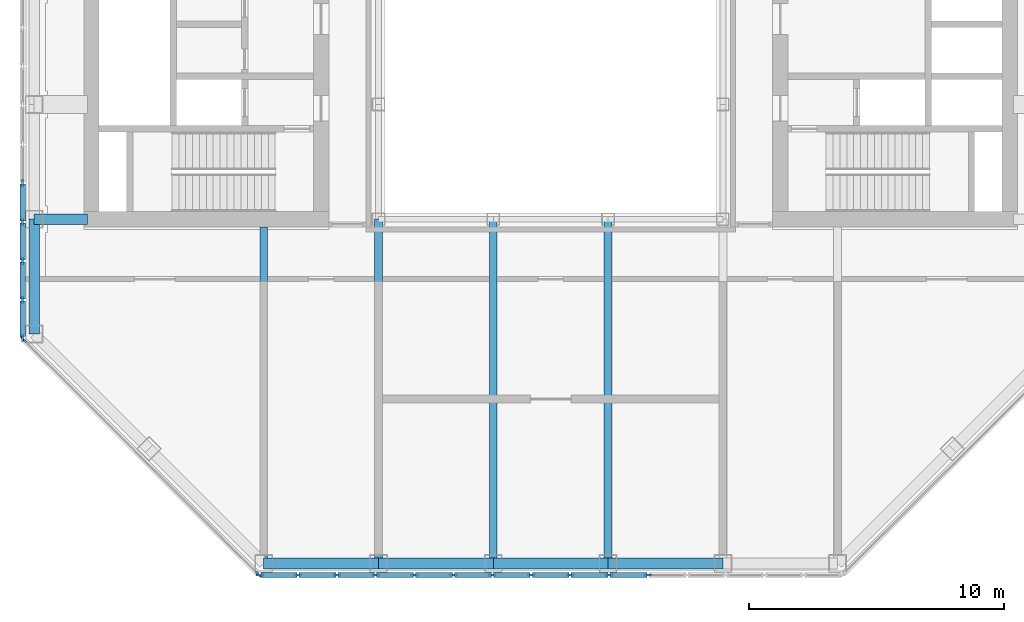
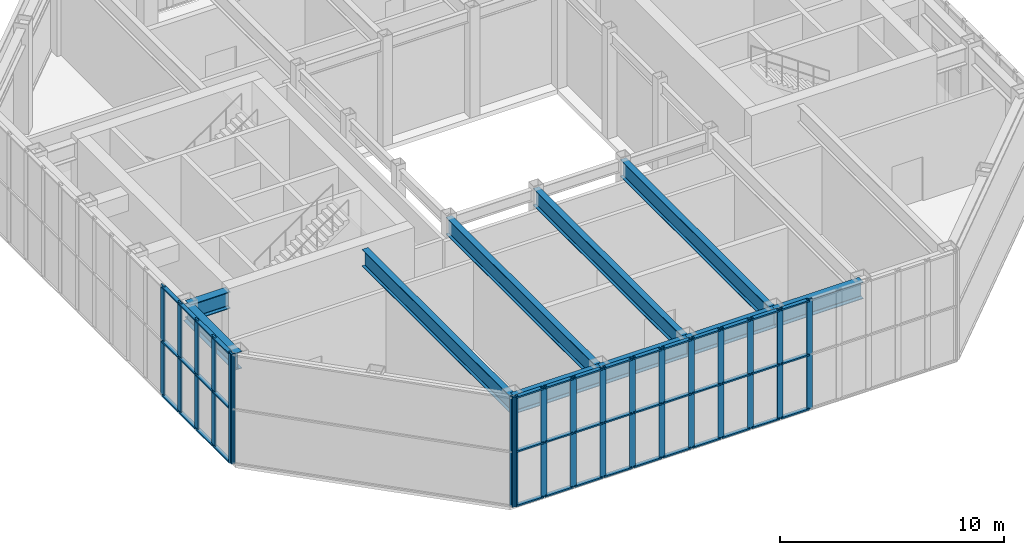
# One storey, part 2 of 12: 60 members, 10 beams, 3 elements without a shape of their own.
"""IFC4 building model written with IfcOpenShell, lengths in metres."""

from ifc_helpers import new_model, si_unit, direction, frame, origin, origin_2d, place, context, subcontext, project, spatial, rectangle, i_section, extrude, material, material_profile, profile_set, type_object, element, aggregate, save


model = new_model("IFC4")

# Units and contexts
model_context = context("Model", 3, precision=1e-05, world=origin(), true_north=direction((0.0, 1.0)))
body_context = subcontext(model_context, "Body", "Model", "MODEL_VIEW")
ifc_project = project(units=[si_unit("LENGTHUNIT", "METRE"), si_unit("AREAUNIT", "SQUARE_METRE"), si_unit("VOLUMEUNIT", "CUBIC_METRE"), si_unit("PLANEANGLEUNIT", "RADIAN"), si_unit("MASSUNIT", "GRAM", prefix="KILO")], contexts=[model_context])

# Site, building, storey
site_placement = place(None, origin())
site = spatial("IfcSite", under=ifc_project, at=site_placement, CompositionType="ELEMENT")
building_placement = place(site_placement, origin())
building = spatial("IfcBuilding", under=site, at=building_placement, Name="Msasa Ring Tower", CompositionType="ELEMENT")
storey_placement = place(building_placement, frame((0.0, 0.0, 262.050048828125)))
storey = spatial("IfcBuildingStorey", under=building, at=storey_placement, Name="L68", CompositionType="ELEMENT", Elevation=262.050048828125)

# Curtain wall, members
ifc_material_1 = material(Name="Aluminium curtain wall with clear glass", Category="aluminium")
curtain_wall_type = type_object("IfcCurtainWallType", Name="CW-L LANTERN CURTAIN WALL", PredefinedType="NOTDEFINED", material=ifc_material_1)
curtain_wall_1_placement = place(storey_placement, origin())
curtain_wall_1 = element("IfcCurtainWall", 1, at=curtain_wall_1_placement, inside=storey, type_object=curtain_wall_type, Name="Lantern curtain wall S L68", PredefinedType="NOTDEFINED")
ifc_material_2 = material(Name="Aluminium mullion", Category="aluminium")
ifc_material_profile_1 = material_profile(ifc_material_2, rectangle(XDim=0.080078125, YDim=0.300048828125, at=origin_2d()), Name="AL 80x300")
ifc_profile_set_1 = profile_set([ifc_material_profile_1], Name="Aluminium mullion")
member_type_1 = type_object("IfcMemberType", Name="CW-L MULLION 80x300", PredefinedType="MULLION", material=ifc_profile_set_1)
member_1_placement = place(storey_placement, frame((-11.396484375, -20.699951171875, 0.0), z_axis=(0.0, 0.0, 1.0), x_axis=(0.0, 1.0, 0.0)))
member_1 = element("IfcMember", 2, at=member_1_placement, type_object=member_type_1, Name="CW-L mullion 1", PredefinedType="MULLION", context=body_context, shape_type="SweptSolid", body=[
    extrude(rectangle(XDim=0.080078125, YDim=0.300048828125, at=origin_2d()), origin(), (0.0, 0.0, 1.0), 6.0),
])
member_2_placement = place(storey_placement, frame((-9.91162109375, -20.699951171875, 0.0), z_axis=(0.0, 0.0, 1.0), x_axis=(0.0, 1.0, 0.0)))
member_2 = element("IfcMember", 3, at=member_2_placement, type_object=member_type_1, Name="CW-L mullion 2", PredefinedType="MULLION", context=body_context, shape_type="SweptSolid", body=[
    extrude(rectangle(XDim=0.080078125, YDim=0.300048828125, at=origin_2d()), origin(), (0.0, 0.0, 1.0), 6.0),
])
member_3_placement = place(storey_placement, frame((-8.38671875, -20.699951171875, 0.0), z_axis=(0.0, 0.0, 1.0), x_axis=(0.0, 1.0, 0.0)))
member_3 = element("IfcMember", 4, at=member_3_placement, type_object=member_type_1, Name="CW-L mullion 3", PredefinedType="MULLION", context=body_context, shape_type="SweptSolid", body=[
    extrude(rectangle(XDim=0.080078125, YDim=0.300048828125, at=origin_2d()), origin(), (0.0, 0.0, 1.0), 6.0),
])
member_4_placement = place(storey_placement, frame((-6.86181640625, -20.699951171875, 0.0), z_axis=(0.0, 0.0, 1.0), x_axis=(0.0, 1.0, 0.0)))
member_4 = element("IfcMember", 5, at=member_4_placement, type_object=member_type_1, Name="CW-L mullion 4", PredefinedType="MULLION", context=body_context, shape_type="SweptSolid", body=[
    extrude(rectangle(XDim=0.080078125, YDim=0.300048828125, at=origin_2d()), origin(), (0.0, 0.0, 1.0), 6.0),
])
member_5_placement = place(storey_placement, frame((-5.3369140625, -20.699951171875, 0.0), z_axis=(0.0, 0.0, 1.0), x_axis=(0.0, 1.0, 0.0)))
member_5 = element("IfcMember", 6, at=member_5_placement, type_object=member_type_1, Name="CW-L mullion 5", PredefinedType="MULLION", context=body_context, shape_type="SweptSolid", body=[
    extrude(rectangle(XDim=0.080078125, YDim=0.300048828125, at=origin_2d()), origin(), (0.0, 0.0, 1.0), 6.0),
])
member_6_placement = place(storey_placement, frame((-3.81201171875, -20.699951171875, 0.0), z_axis=(0.0, 0.0, 1.0), x_axis=(0.0, 1.0, 0.0)))
member_6 = element("IfcMember", 7, at=member_6_placement, type_object=member_type_1, Name="CW-L mullion 6", PredefinedType="MULLION", context=body_context, shape_type="SweptSolid", body=[
    extrude(rectangle(XDim=0.080078125, YDim=0.300048828125, at=origin_2d()), origin(), (0.0, 0.0, 1.0), 6.0),
])
member_7_placement = place(storey_placement, frame((-2.287353515625, -20.699951171875, 0.0), z_axis=(0.0, 0.0, 1.0), x_axis=(0.0, 1.0, 0.0)))
member_7 = element("IfcMember", 8, at=member_7_placement, type_object=member_type_1, Name="CW-L mullion 7", PredefinedType="MULLION", context=body_context, shape_type="SweptSolid", body=[
    extrude(rectangle(XDim=0.080078125, YDim=0.300048828125, at=origin_2d()), origin(), (0.0, 0.0, 1.0), 6.0),
])
member_8_placement = place(storey_placement, frame((-0.762451171875, -20.699951171875, 0.0), z_axis=(0.0, 0.0, 1.0), x_axis=(0.0, 1.0, 0.0)))
member_8 = element("IfcMember", 9, at=member_8_placement, type_object=member_type_1, Name="CW-L mullion 8", PredefinedType="MULLION", context=body_context, shape_type="SweptSolid", body=[
    extrude(rectangle(XDim=0.080078125, YDim=0.300048828125, at=origin_2d()), origin(), (0.0, 0.0, 1.0), 6.0),
])
member_9_placement = place(storey_placement, frame((0.762451171875, -20.699951171875, 0.0), z_axis=(0.0, 0.0, 1.0), x_axis=(0.0, 1.0, 0.0)))
member_9 = element("IfcMember", 10, at=member_9_placement, type_object=member_type_1, Name="CW-L mullion 9", PredefinedType="MULLION", context=body_context, shape_type="SweptSolid", body=[
    extrude(rectangle(XDim=0.080078125, YDim=0.300048828125, at=origin_2d()), origin(), (0.0, 0.0, 1.0), 6.0),
])
member_10_placement = place(storey_placement, frame((2.287353515625, -20.699951171875, 0.0), z_axis=(0.0, 0.0, 1.0), x_axis=(0.0, 1.0, 0.0)))
member_10 = element("IfcMember", 11, at=member_10_placement, type_object=member_type_1, Name="CW-L mullion 10", PredefinedType="MULLION", context=body_context, shape_type="SweptSolid", body=[
    extrude(rectangle(XDim=0.080078125, YDim=0.300048828125, at=origin_2d()), origin(), (0.0, 0.0, 1.0), 6.0),
])
member_11_placement = place(storey_placement, frame((3.81201171875, -20.699951171875, 0.0), z_axis=(0.0, 0.0, 1.0), x_axis=(0.0, 1.0, 0.0)))
member_11 = element("IfcMember", 12, at=member_11_placement, type_object=member_type_1, Name="CW-L mullion 11", PredefinedType="MULLION", context=body_context, shape_type="SweptSolid", body=[
    extrude(rectangle(XDim=0.080078125, YDim=0.300048828125, at=origin_2d()), origin(), (0.0, 0.0, 1.0), 6.0),
])

curtain_wall_2_placement = place(storey_placement, origin())
curtain_wall_2 = element("IfcCurtainWall", 13, at=curtain_wall_2_placement, inside=storey, type_object=curtain_wall_type, Name="Lantern curtain wall W L68", PredefinedType="NOTDEFINED")
member_12_placement = place(storey_placement, frame((-20.699951171875, -5.3369140625, 0.0), z_axis=(0.0, 0.0, 1.0), x_axis=(1.0, 0.0, 0.0)))
member_12 = element("IfcMember", 14, at=member_12_placement, type_object=member_type_1, Name="CW-L mullion 12", PredefinedType="MULLION", context=body_context, shape_type="SweptSolid", body=[
    extrude(rectangle(XDim=0.080078125, YDim=0.300048828125, at=origin_2d()), origin(), (0.0, 0.0, 1.0), 6.0),
])
member_13_placement = place(storey_placement, frame((-20.699951171875, -6.86181640625, 0.0), z_axis=(0.0, 0.0, 1.0), x_axis=(1.0, 0.0, 0.0)))
member_13 = element("IfcMember", 15, at=member_13_placement, type_object=member_type_1, Name="CW-L mullion 13", PredefinedType="MULLION", context=body_context, shape_type="SweptSolid", body=[
    extrude(rectangle(XDim=0.080078125, YDim=0.300048828125, at=origin_2d()), origin(), (0.0, 0.0, 1.0), 6.0),
])
member_14_placement = place(storey_placement, frame((-20.699951171875, -8.38671875, 0.0), z_axis=(0.0, 0.0, 1.0), x_axis=(1.0, 0.0, 0.0)))
member_14 = element("IfcMember", 16, at=member_14_placement, type_object=member_type_1, Name="CW-L mullion 14", PredefinedType="MULLION", context=body_context, shape_type="SweptSolid", body=[
    extrude(rectangle(XDim=0.080078125, YDim=0.300048828125, at=origin_2d()), origin(), (0.0, 0.0, 1.0), 6.0),
])
member_15_placement = place(storey_placement, frame((-20.699951171875, -9.91162109375, 0.0), z_axis=(0.0, 0.0, 1.0), x_axis=(1.0, 0.0, 0.0)))
member_15 = element("IfcMember", 17, at=member_15_placement, type_object=member_type_1, Name="CW-L mullion 15", PredefinedType="MULLION", context=body_context, shape_type="SweptSolid", body=[
    extrude(rectangle(XDim=0.080078125, YDim=0.300048828125, at=origin_2d()), origin(), (0.0, 0.0, 1.0), 6.0),
])
member_16_placement = place(storey_placement, frame((-20.699951171875, -11.396484375, 0.0), z_axis=(0.0, 0.0, 1.0), x_axis=(1.0, 0.0, 0.0)))
member_16 = element("IfcMember", 18, at=member_16_placement, type_object=member_type_1, Name="CW-L mullion 16", PredefinedType="MULLION", context=body_context, shape_type="SweptSolid", body=[
    extrude(rectangle(XDim=0.080078125, YDim=0.300048828125, at=origin_2d()), origin(), (0.0, 0.0, 1.0), 6.0),
])

curtain_wall_3_placement = place(storey_placement, origin())
curtain_wall_3 = element("IfcCurtainWall", 19, at=curtain_wall_3_placement, inside=storey, type_object=curtain_wall_type, Name="Lantern curtain wall SW L68", PredefinedType="NOTDEFINED")
member_17_placement = place(storey_placement, frame((-20.671630859375, -11.464599609375, 0.0), z_axis=(0.0, 0.0, 1.0), x_axis=(0.707106781187, 0.707106781187, 0.0)))
member_17 = element("IfcMember", 20, at=member_17_placement, type_object=member_type_1, Name="CW-L mullion 1", PredefinedType="MULLION", context=body_context, shape_type="SweptSolid", body=[
    extrude(rectangle(XDim=0.080078125, YDim=0.300048828125, at=origin_2d()), origin(), (0.0, 0.0, 1.0), 6.0),
])
member_18_placement = place(storey_placement, frame((-11.464599609375, -20.671630859375, 0.0), z_axis=(0.0, 0.0, 1.0), x_axis=(0.707106781187, 0.707106781187, 0.0)))
member_18 = element("IfcMember", 21, at=member_18_placement, type_object=member_type_1, Name="CW-L mullion 2", PredefinedType="MULLION", context=body_context, shape_type="SweptSolid", body=[
    extrude(rectangle(XDim=0.080078125, YDim=0.300048828125, at=origin_2d()), origin(), (0.0, 0.0, 1.0), 6.0),
])
aggregate(curtain_wall_3, [member_17, member_18])

# Member
ifc_material_3 = material(Name="Aluminium transom", Category="aluminium")
ifc_material_profile_2 = material_profile(ifc_material_3, rectangle(XDim=0.199951171875, YDim=0.080078125, at=origin_2d()), Name="AL 80x200")
ifc_profile_set_2 = profile_set([ifc_material_profile_2], Name="Aluminium transom")
member_type_2 = type_object("IfcMemberType", Name="CW-L TRANSOM 80x200", PredefinedType="USERDEFINED", material=ifc_profile_set_2)
member_19_placement = place(storey_placement, frame((-11.3564453125, -20.699951171875, 0.0400390625), z_axis=(1.0, 0.0, 0.0), x_axis=(0.0, 1.0, 0.0)))
member_19 = element("IfcMember", 22, at=member_19_placement, type_object=member_type_2, Name="CW-L transom 1.1", ObjectType="TRANSOM", PredefinedType="USERDEFINED", context=body_context, shape_type="SweptSolid", body=[
    extrude(rectangle(XDim=0.199951171875, YDim=0.080078125, at=origin_2d()), origin(), (0.0, 0.0, 1.0), 1.40478515625),
])

member_20_placement = place(storey_placement, frame((-11.3564453125, -20.699951171875, 3.0), z_axis=(1.0, 0.0, 0.0), x_axis=(0.0, 1.0, 0.0)))
member_20 = element("IfcMember", 23, at=member_20_placement, type_object=member_type_2, Name="CW-L transom 1.2", ObjectType="TRANSOM", PredefinedType="USERDEFINED", context=body_context, shape_type="SweptSolid", body=[
    extrude(rectangle(XDim=0.199951171875, YDim=0.080078125, at=origin_2d()), origin(), (0.0, 0.0, 1.0), 1.40478515625),
])

member_21_placement = place(storey_placement, frame((-11.3564453125, -20.699951171875, 5.9599609375), z_axis=(1.0, 0.0, 0.0), x_axis=(0.0, 1.0, 0.0)))
member_21 = element("IfcMember", 24, at=member_21_placement, type_object=member_type_2, Name="CW-L transom 1.3", ObjectType="TRANSOM", PredefinedType="USERDEFINED", context=body_context, shape_type="SweptSolid", body=[
    extrude(rectangle(XDim=0.199951171875, YDim=0.080078125, at=origin_2d()), origin(), (0.0, 0.0, 1.0), 1.40478515625),
])

member_22_placement = place(storey_placement, frame((-9.87158203125, -20.699951171875, 0.0400390625), z_axis=(1.0, 0.0, 0.0), x_axis=(0.0, 1.0, 0.0)))
member_22 = element("IfcMember", 25, at=member_22_placement, type_object=member_type_2, Name="CW-L transom 2.1", ObjectType="TRANSOM", PredefinedType="USERDEFINED", context=body_context, shape_type="SweptSolid", body=[
    extrude(rectangle(XDim=0.199951171875, YDim=0.080078125, at=origin_2d()), origin(), (0.0, 0.0, 1.0), 1.44482421875),
])

member_23_placement = place(storey_placement, frame((-9.87158203125, -20.699951171875, 3.0), z_axis=(1.0, 0.0, 0.0), x_axis=(0.0, 1.0, 0.0)))
member_23 = element("IfcMember", 26, at=member_23_placement, type_object=member_type_2, Name="CW-L transom 2.2", ObjectType="TRANSOM", PredefinedType="USERDEFINED", context=body_context, shape_type="SweptSolid", body=[
    extrude(rectangle(XDim=0.199951171875, YDim=0.080078125, at=origin_2d()), origin(), (0.0, 0.0, 1.0), 1.44482421875),
])

member_24_placement = place(storey_placement, frame((-9.87158203125, -20.699951171875, 5.9599609375), z_axis=(1.0, 0.0, 0.0), x_axis=(0.0, 1.0, 0.0)))
member_24 = element("IfcMember", 27, at=member_24_placement, type_object=member_type_2, Name="CW-L transom 2.3", ObjectType="TRANSOM", PredefinedType="USERDEFINED", context=body_context, shape_type="SweptSolid", body=[
    extrude(rectangle(XDim=0.199951171875, YDim=0.080078125, at=origin_2d()), origin(), (0.0, 0.0, 1.0), 1.44482421875),
])

member_25_placement = place(storey_placement, frame((-8.3466796875, -20.699951171875, 0.0400390625), z_axis=(1.0, 0.0, 0.0), x_axis=(0.0, 1.0, 0.0)))
member_25 = element("IfcMember", 28, at=member_25_placement, type_object=member_type_2, Name="CW-L transom 3.1", ObjectType="TRANSOM", PredefinedType="USERDEFINED", context=body_context, shape_type="SweptSolid", body=[
    extrude(rectangle(XDim=0.199951171875, YDim=0.080078125, at=origin_2d()), origin(), (0.0, 0.0, 1.0), 1.44482421875),
])

member_26_placement = place(storey_placement, frame((-8.3466796875, -20.699951171875, 3.0), z_axis=(1.0, 0.0, 0.0), x_axis=(0.0, 1.0, 0.0)))
member_26 = element("IfcMember", 29, at=member_26_placement, type_object=member_type_2, Name="CW-L transom 3.2", ObjectType="TRANSOM", PredefinedType="USERDEFINED", context=body_context, shape_type="SweptSolid", body=[
    extrude(rectangle(XDim=0.199951171875, YDim=0.080078125, at=origin_2d()), origin(), (0.0, 0.0, 1.0), 1.44482421875),
])

member_27_placement = place(storey_placement, frame((-8.3466796875, -20.699951171875, 5.9599609375), z_axis=(1.0, 0.0, 0.0), x_axis=(0.0, 1.0, 0.0)))
member_27 = element("IfcMember", 30, at=member_27_placement, type_object=member_type_2, Name="CW-L transom 3.3", ObjectType="TRANSOM", PredefinedType="USERDEFINED", context=body_context, shape_type="SweptSolid", body=[
    extrude(rectangle(XDim=0.199951171875, YDim=0.080078125, at=origin_2d()), origin(), (0.0, 0.0, 1.0), 1.44482421875),
])

member_28_placement = place(storey_placement, frame((-6.82177734375, -20.699951171875, 0.0400390625), z_axis=(1.0, 0.0, 0.0), x_axis=(0.0, 1.0, 0.0)))
member_28 = element("IfcMember", 31, at=member_28_placement, type_object=member_type_2, Name="CW-L transom 4.1", ObjectType="TRANSOM", PredefinedType="USERDEFINED", context=body_context, shape_type="SweptSolid", body=[
    extrude(rectangle(XDim=0.199951171875, YDim=0.080078125, at=origin_2d()), origin(), (0.0, 0.0, 1.0), 1.44482421875),
])

member_29_placement = place(storey_placement, frame((-6.82177734375, -20.699951171875, 3.0), z_axis=(1.0, 0.0, 0.0), x_axis=(0.0, 1.0, 0.0)))
member_29 = element("IfcMember", 32, at=member_29_placement, type_object=member_type_2, Name="CW-L transom 4.2", ObjectType="TRANSOM", PredefinedType="USERDEFINED", context=body_context, shape_type="SweptSolid", body=[
    extrude(rectangle(XDim=0.199951171875, YDim=0.080078125, at=origin_2d()), origin(), (0.0, 0.0, 1.0), 1.44482421875),
])

member_30_placement = place(storey_placement, frame((-6.82177734375, -20.699951171875, 5.9599609375), z_axis=(1.0, 0.0, 0.0), x_axis=(0.0, 1.0, 0.0)))
member_30 = element("IfcMember", 33, at=member_30_placement, type_object=member_type_2, Name="CW-L transom 4.3", ObjectType="TRANSOM", PredefinedType="USERDEFINED", context=body_context, shape_type="SweptSolid", body=[
    extrude(rectangle(XDim=0.199951171875, YDim=0.080078125, at=origin_2d()), origin(), (0.0, 0.0, 1.0), 1.44482421875),
])

member_31_placement = place(storey_placement, frame((-5.296875, -20.699951171875, 0.0400390625), z_axis=(1.0, 0.0, 0.0), x_axis=(0.0, 1.0, 0.0)))
member_31 = element("IfcMember", 34, at=member_31_placement, type_object=member_type_2, Name="CW-L transom 5.1", ObjectType="TRANSOM", PredefinedType="USERDEFINED", context=body_context, shape_type="SweptSolid", body=[
    extrude(rectangle(XDim=0.199951171875, YDim=0.080078125, at=origin_2d()), origin(), (0.0, 0.0, 1.0), 1.44482421875),
])

member_32_placement = place(storey_placement, frame((-5.296875, -20.699951171875, 3.0), z_axis=(1.0, 0.0, 0.0), x_axis=(0.0, 1.0, 0.0)))
member_32 = element("IfcMember", 35, at=member_32_placement, type_object=member_type_2, Name="CW-L transom 5.2", ObjectType="TRANSOM", PredefinedType="USERDEFINED", context=body_context, shape_type="SweptSolid", body=[
    extrude(rectangle(XDim=0.199951171875, YDim=0.080078125, at=origin_2d()), origin(), (0.0, 0.0, 1.0), 1.44482421875),
])

member_33_placement = place(storey_placement, frame((-5.296875, -20.699951171875, 5.9599609375), z_axis=(1.0, 0.0, 0.0), x_axis=(0.0, 1.0, 0.0)))
member_33 = element("IfcMember", 36, at=member_33_placement, type_object=member_type_2, Name="CW-L transom 5.3", ObjectType="TRANSOM", PredefinedType="USERDEFINED", context=body_context, shape_type="SweptSolid", body=[
    extrude(rectangle(XDim=0.199951171875, YDim=0.080078125, at=origin_2d()), origin(), (0.0, 0.0, 1.0), 1.44482421875),
])

member_34_placement = place(storey_placement, frame((-3.772216796875, -20.699951171875, 0.0400390625), z_axis=(1.0, 0.0, 0.0), x_axis=(0.0, 1.0, 0.0)))
member_34 = element("IfcMember", 37, at=member_34_placement, type_object=member_type_2, Name="CW-L transom 6.1", ObjectType="TRANSOM", PredefinedType="USERDEFINED", context=body_context, shape_type="SweptSolid", body=[
    extrude(rectangle(XDim=0.199951171875, YDim=0.080078125, at=origin_2d()), origin(), (0.0, 0.0, 1.0), 1.44482421875),
])

member_35_placement = place(storey_placement, frame((-3.772216796875, -20.699951171875, 3.0), z_axis=(1.0, 0.0, 0.0), x_axis=(0.0, 1.0, 0.0)))
member_35 = element("IfcMember", 38, at=member_35_placement, type_object=member_type_2, Name="CW-L transom 6.2", ObjectType="TRANSOM", PredefinedType="USERDEFINED", context=body_context, shape_type="SweptSolid", body=[
    extrude(rectangle(XDim=0.199951171875, YDim=0.080078125, at=origin_2d()), origin(), (0.0, 0.0, 1.0), 1.44482421875),
])

member_36_placement = place(storey_placement, frame((-3.772216796875, -20.699951171875, 5.9599609375), z_axis=(1.0, 0.0, 0.0), x_axis=(0.0, 1.0, 0.0)))
member_36 = element("IfcMember", 39, at=member_36_placement, type_object=member_type_2, Name="CW-L transom 6.3", ObjectType="TRANSOM", PredefinedType="USERDEFINED", context=body_context, shape_type="SweptSolid", body=[
    extrude(rectangle(XDim=0.199951171875, YDim=0.080078125, at=origin_2d()), origin(), (0.0, 0.0, 1.0), 1.44482421875),
])

member_37_placement = place(storey_placement, frame((-2.247314453125, -20.699951171875, 0.0400390625), z_axis=(1.0, 0.0, 0.0), x_axis=(0.0, 1.0, 0.0)))
member_37 = element("IfcMember", 40, at=member_37_placement, type_object=member_type_2, Name="CW-L transom 7.1", ObjectType="TRANSOM", PredefinedType="USERDEFINED", context=body_context, shape_type="SweptSolid", body=[
    extrude(rectangle(XDim=0.199951171875, YDim=0.080078125, at=origin_2d()), origin(), (0.0, 0.0, 1.0), 1.44482421875),
])

member_38_placement = place(storey_placement, frame((-2.247314453125, -20.699951171875, 3.0), z_axis=(1.0, 0.0, 0.0), x_axis=(0.0, 1.0, 0.0)))
member_38 = element("IfcMember", 41, at=member_38_placement, type_object=member_type_2, Name="CW-L transom 7.2", ObjectType="TRANSOM", PredefinedType="USERDEFINED", context=body_context, shape_type="SweptSolid", body=[
    extrude(rectangle(XDim=0.199951171875, YDim=0.080078125, at=origin_2d()), origin(), (0.0, 0.0, 1.0), 1.44482421875),
])

member_39_placement = place(storey_placement, frame((-2.247314453125, -20.699951171875, 5.9599609375), z_axis=(1.0, 0.0, 0.0), x_axis=(0.0, 1.0, 0.0)))
member_39 = element("IfcMember", 42, at=member_39_placement, type_object=member_type_2, Name="CW-L transom 7.3", ObjectType="TRANSOM", PredefinedType="USERDEFINED", context=body_context, shape_type="SweptSolid", body=[
    extrude(rectangle(XDim=0.199951171875, YDim=0.080078125, at=origin_2d()), origin(), (0.0, 0.0, 1.0), 1.44482421875),
])

member_40_placement = place(storey_placement, frame((-0.722412109375, -20.699951171875, 0.0400390625), z_axis=(1.0, 0.0, 0.0), x_axis=(0.0, 1.0, 0.0)))
member_40 = element("IfcMember", 43, at=member_40_placement, type_object=member_type_2, Name="CW-L transom 8.1", ObjectType="TRANSOM", PredefinedType="USERDEFINED", context=body_context, shape_type="SweptSolid", body=[
    extrude(rectangle(XDim=0.199951171875, YDim=0.080078125, at=origin_2d()), origin(), (0.0, 0.0, 1.0), 1.44482421875),
])

member_41_placement = place(storey_placement, frame((-0.722412109375, -20.699951171875, 3.0), z_axis=(1.0, 0.0, 0.0), x_axis=(0.0, 1.0, 0.0)))
member_41 = element("IfcMember", 44, at=member_41_placement, type_object=member_type_2, Name="CW-L transom 8.2", ObjectType="TRANSOM", PredefinedType="USERDEFINED", context=body_context, shape_type="SweptSolid", body=[
    extrude(rectangle(XDim=0.199951171875, YDim=0.080078125, at=origin_2d()), origin(), (0.0, 0.0, 1.0), 1.44482421875),
])

member_42_placement = place(storey_placement, frame((-0.722412109375, -20.699951171875, 5.9599609375), z_axis=(1.0, 0.0, 0.0), x_axis=(0.0, 1.0, 0.0)))
member_42 = element("IfcMember", 45, at=member_42_placement, type_object=member_type_2, Name="CW-L transom 8.3", ObjectType="TRANSOM", PredefinedType="USERDEFINED", context=body_context, shape_type="SweptSolid", body=[
    extrude(rectangle(XDim=0.199951171875, YDim=0.080078125, at=origin_2d()), origin(), (0.0, 0.0, 1.0), 1.44482421875),
])

member_43_placement = place(storey_placement, frame((0.802490234375, -20.699951171875, 0.0400390625), z_axis=(1.0, 0.0, 0.0), x_axis=(0.0, 1.0, 0.0)))
member_43 = element("IfcMember", 46, at=member_43_placement, type_object=member_type_2, Name="CW-L transom 9.1", ObjectType="TRANSOM", PredefinedType="USERDEFINED", context=body_context, shape_type="SweptSolid", body=[
    extrude(rectangle(XDim=0.199951171875, YDim=0.080078125, at=origin_2d()), origin(), (0.0, 0.0, 1.0), 1.44482421875),
])

member_44_placement = place(storey_placement, frame((0.802490234375, -20.699951171875, 3.0), z_axis=(1.0, 0.0, 0.0), x_axis=(0.0, 1.0, 0.0)))
member_44 = element("IfcMember", 47, at=member_44_placement, type_object=member_type_2, Name="CW-L transom 9.2", ObjectType="TRANSOM", PredefinedType="USERDEFINED", context=body_context, shape_type="SweptSolid", body=[
    extrude(rectangle(XDim=0.199951171875, YDim=0.080078125, at=origin_2d()), origin(), (0.0, 0.0, 1.0), 1.44482421875),
])

member_45_placement = place(storey_placement, frame((0.802490234375, -20.699951171875, 5.9599609375), z_axis=(1.0, 0.0, 0.0), x_axis=(0.0, 1.0, 0.0)))
member_45 = element("IfcMember", 48, at=member_45_placement, type_object=member_type_2, Name="CW-L transom 9.3", ObjectType="TRANSOM", PredefinedType="USERDEFINED", context=body_context, shape_type="SweptSolid", body=[
    extrude(rectangle(XDim=0.199951171875, YDim=0.080078125, at=origin_2d()), origin(), (0.0, 0.0, 1.0), 1.44482421875),
])

member_46_placement = place(storey_placement, frame((2.327392578125, -20.699951171875, 0.0400390625), z_axis=(1.0, 0.0, 0.0), x_axis=(0.0, 1.0, 0.0)))
member_46 = element("IfcMember", 49, at=member_46_placement, type_object=member_type_2, Name="CW-L transom 10.1", ObjectType="TRANSOM", PredefinedType="USERDEFINED", context=body_context, shape_type="SweptSolid", body=[
    extrude(rectangle(XDim=0.199951171875, YDim=0.080078125, at=origin_2d()), origin(), (0.0, 0.0, 1.0), 1.44482421875),
])

member_47_placement = place(storey_placement, frame((2.327392578125, -20.699951171875, 3.0), z_axis=(1.0, 0.0, 0.0), x_axis=(0.0, 1.0, 0.0)))
member_47 = element("IfcMember", 50, at=member_47_placement, type_object=member_type_2, Name="CW-L transom 10.2", ObjectType="TRANSOM", PredefinedType="USERDEFINED", context=body_context, shape_type="SweptSolid", body=[
    extrude(rectangle(XDim=0.199951171875, YDim=0.080078125, at=origin_2d()), origin(), (0.0, 0.0, 1.0), 1.44482421875),
])

member_48_placement = place(storey_placement, frame((2.327392578125, -20.699951171875, 5.9599609375), z_axis=(1.0, 0.0, 0.0), x_axis=(0.0, 1.0, 0.0)))
member_48 = element("IfcMember", 51, at=member_48_placement, type_object=member_type_2, Name="CW-L transom 10.3", ObjectType="TRANSOM", PredefinedType="USERDEFINED", context=body_context, shape_type="SweptSolid", body=[
    extrude(rectangle(XDim=0.199951171875, YDim=0.080078125, at=origin_2d()), origin(), (0.0, 0.0, 1.0), 1.44482421875),
])

aggregate(curtain_wall_1, [member_1, member_2, member_3, member_4, member_5, member_6, member_7, member_8, member_9, member_10, member_11, member_19, member_20, member_21, member_22, member_23, member_24, member_25, member_26, member_27, member_28, member_29, member_30, member_31, member_32, member_33, member_34, member_35, member_36, member_37, member_38, member_39, member_40, member_41, member_42, member_43, member_44, member_45, member_46, member_47, member_48])

member_49_placement = place(storey_placement, frame((-20.699951171875, -5.376953125, 0.0400390625), z_axis=(0.0, -1.0, 0.0), x_axis=(1.0, 0.0, 0.0)))
member_49 = element("IfcMember", 52, at=member_49_placement, type_object=member_type_2, Name="CW-L transom 12.1", ObjectType="TRANSOM", PredefinedType="USERDEFINED", context=body_context, shape_type="SweptSolid", body=[
    extrude(rectangle(XDim=0.199951171875, YDim=0.080078125, at=origin_2d()), origin(), (0.0, 0.0, 1.0), 1.44482421875),
])

member_50_placement = place(storey_placement, frame((-20.699951171875, -5.376953125, 3.0), z_axis=(0.0, -1.0, 0.0), x_axis=(1.0, 0.0, 0.0)))
member_50 = element("IfcMember", 53, at=member_50_placement, type_object=member_type_2, Name="CW-L transom 12.2", ObjectType="TRANSOM", PredefinedType="USERDEFINED", context=body_context, shape_type="SweptSolid", body=[
    extrude(rectangle(XDim=0.199951171875, YDim=0.080078125, at=origin_2d()), origin(), (0.0, 0.0, 1.0), 1.44482421875),
])

member_51_placement = place(storey_placement, frame((-20.699951171875, -5.376953125, 5.9599609375), z_axis=(0.0, -1.0, 0.0), x_axis=(1.0, 0.0, 0.0)))
member_51 = element("IfcMember", 54, at=member_51_placement, type_object=member_type_2, Name="CW-L transom 12.3", ObjectType="TRANSOM", PredefinedType="USERDEFINED", context=body_context, shape_type="SweptSolid", body=[
    extrude(rectangle(XDim=0.199951171875, YDim=0.080078125, at=origin_2d()), origin(), (0.0, 0.0, 1.0), 1.44482421875),
])

member_52_placement = place(storey_placement, frame((-20.699951171875, -6.90185546875, 0.0400390625), z_axis=(0.0, -1.0, 0.0), x_axis=(1.0, 0.0, 0.0)))
member_52 = element("IfcMember", 55, at=member_52_placement, type_object=member_type_2, Name="CW-L transom 13.1", ObjectType="TRANSOM", PredefinedType="USERDEFINED", context=body_context, shape_type="SweptSolid", body=[
    extrude(rectangle(XDim=0.199951171875, YDim=0.080078125, at=origin_2d()), origin(), (0.0, 0.0, 1.0), 1.44482421875),
])

member_53_placement = place(storey_placement, frame((-20.699951171875, -6.90185546875, 3.0), z_axis=(0.0, -1.0, 0.0), x_axis=(1.0, 0.0, 0.0)))
member_53 = element("IfcMember", 56, at=member_53_placement, type_object=member_type_2, Name="CW-L transom 13.2", ObjectType="TRANSOM", PredefinedType="USERDEFINED", context=body_context, shape_type="SweptSolid", body=[
    extrude(rectangle(XDim=0.199951171875, YDim=0.080078125, at=origin_2d()), origin(), (0.0, 0.0, 1.0), 1.44482421875),
])

member_54_placement = place(storey_placement, frame((-20.699951171875, -6.90185546875, 5.9599609375), z_axis=(0.0, -1.0, 0.0), x_axis=(1.0, 0.0, 0.0)))
member_54 = element("IfcMember", 57, at=member_54_placement, type_object=member_type_2, Name="CW-L transom 13.3", ObjectType="TRANSOM", PredefinedType="USERDEFINED", context=body_context, shape_type="SweptSolid", body=[
    extrude(rectangle(XDim=0.199951171875, YDim=0.080078125, at=origin_2d()), origin(), (0.0, 0.0, 1.0), 1.44482421875),
])

member_55_placement = place(storey_placement, frame((-20.699951171875, -8.4267578125, 0.0400390625), z_axis=(0.0, -1.0, 0.0), x_axis=(1.0, 0.0, 0.0)))
member_55 = element("IfcMember", 58, at=member_55_placement, type_object=member_type_2, Name="CW-L transom 14.1", ObjectType="TRANSOM", PredefinedType="USERDEFINED", context=body_context, shape_type="SweptSolid", body=[
    extrude(rectangle(XDim=0.199951171875, YDim=0.080078125, at=origin_2d()), origin(), (0.0, 0.0, 1.0), 1.44482421875),
])

member_56_placement = place(storey_placement, frame((-20.699951171875, -8.4267578125, 3.0), z_axis=(0.0, -1.0, 0.0), x_axis=(1.0, 0.0, 0.0)))
member_56 = element("IfcMember", 59, at=member_56_placement, type_object=member_type_2, Name="CW-L transom 14.2", ObjectType="TRANSOM", PredefinedType="USERDEFINED", context=body_context, shape_type="SweptSolid", body=[
    extrude(rectangle(XDim=0.199951171875, YDim=0.080078125, at=origin_2d()), origin(), (0.0, 0.0, 1.0), 1.44482421875),
])

member_57_placement = place(storey_placement, frame((-20.699951171875, -8.4267578125, 5.9599609375), z_axis=(0.0, -1.0, 0.0), x_axis=(1.0, 0.0, 0.0)))
member_57 = element("IfcMember", 60, at=member_57_placement, type_object=member_type_2, Name="CW-L transom 14.3", ObjectType="TRANSOM", PredefinedType="USERDEFINED", context=body_context, shape_type="SweptSolid", body=[
    extrude(rectangle(XDim=0.199951171875, YDim=0.080078125, at=origin_2d()), origin(), (0.0, 0.0, 1.0), 1.44482421875),
])

member_58_placement = place(storey_placement, frame((-20.699951171875, -9.95166015625, 0.0400390625), z_axis=(0.0, -1.0, 0.0), x_axis=(1.0, 0.0, 0.0)))
member_58 = element("IfcMember", 61, at=member_58_placement, type_object=member_type_2, Name="CW-L transom 15.1", ObjectType="TRANSOM", PredefinedType="USERDEFINED", context=body_context, shape_type="SweptSolid", body=[
    extrude(rectangle(XDim=0.199951171875, YDim=0.080078125, at=origin_2d()), origin(), (0.0, 0.0, 1.0), 1.40478515625),
])

member_59_placement = place(storey_placement, frame((-20.699951171875, -9.95166015625, 3.0), z_axis=(0.0, -1.0, 0.0), x_axis=(1.0, 0.0, 0.0)))
member_59 = element("IfcMember", 62, at=member_59_placement, type_object=member_type_2, Name="CW-L transom 15.2", ObjectType="TRANSOM", PredefinedType="USERDEFINED", context=body_context, shape_type="SweptSolid", body=[
    extrude(rectangle(XDim=0.199951171875, YDim=0.080078125, at=origin_2d()), origin(), (0.0, 0.0, 1.0), 1.40478515625),
])

member_60_placement = place(storey_placement, frame((-20.699951171875, -9.95166015625, 5.9599609375), z_axis=(0.0, -1.0, 0.0), x_axis=(1.0, 0.0, 0.0)))
member_60 = element("IfcMember", 63, at=member_60_placement, type_object=member_type_2, Name="CW-L transom 15.3", ObjectType="TRANSOM", PredefinedType="USERDEFINED", context=body_context, shape_type="SweptSolid", body=[
    extrude(rectangle(XDim=0.199951171875, YDim=0.080078125, at=origin_2d()), origin(), (0.0, 0.0, 1.0), 1.40478515625),
])

aggregate(curtain_wall_2, [member_12, member_13, member_14, member_15, member_16, member_49, member_50, member_51, member_52, member_53, member_54, member_55, member_56, member_57, member_58, member_59, member_60])

# Beams
ifc_material_4 = material(Name="Steel S355", Category="steel")
ifc_material_profile_3 = material_profile(ifc_material_4, i_section(OverallWidth=0.3076171875, OverallDepth=0.926513671875, WebThickness=0.01953125, FlangeThickness=0.031982421875, FilletRadius=0.01904296875, at=origin_2d()), Name="UB 914x305x289")
ifc_profile_set_3 = profile_set([ifc_material_profile_3], Name="Steel S355")
beam_type_1 = type_object("IfcBeamType", Name="FB3 UB 914x305x289", PredefinedType="BEAM", material=ifc_profile_set_3)
beam_1_placement = place(storey_placement, frame((-11.25, -20.25, 5.28662109375), z_axis=(0.0, 1.0, 0.0), x_axis=(-1.0, 0.0, 0.0)))
element("IfcBeam", 64, at=beam_1_placement, inside=storey, type_object=beam_type_1, Name="Floor beam S-11.25 under L69", PredefinedType="BEAM", context=body_context, shape_type="SweptSolid", body=[
    extrude(i_section(OverallWidth=0.3076171875, OverallDepth=0.926513671875, WebThickness=0.01953125, FlangeThickness=0.031982421875, FilletRadius=0.01904296875, at=origin_2d()), origin(), (0.0, 0.0, 1.0), 13.199951171875),
])
for number, where, z_axis, x_axis, name in (
    (65, (-6.75, -20.25, 5.28662109375), (0.0, 1.0, 0.0), (-1.0, 0.0, 0.0), "Floor beam S-6.75 under L69"),
    (66, (-2.25, -20.25, 5.28662109375), (0.0, 1.0, 0.0), (-1.0, 0.0, 0.0), "Floor beam S-2.25 under L69"),
    (67, (2.25, -20.25, 5.28662109375), (0.0, 1.0, 0.0), (-1.0, 0.0, 0.0), "Floor beam S+2.25 under L69"),
):
    element("IfcBeam", number, at=place(storey_placement, frame(where, z_axis=z_axis, x_axis=x_axis)), inside=storey, type_object=beam_type_1, Name=name, PredefinedType="BEAM", context=body_context, shape_type="SweptSolid", body=[
        extrude(i_section(OverallWidth=0.3076171875, OverallDepth=0.926513671875, WebThickness=0.01953125, FlangeThickness=0.031982421875, FilletRadius=0.01904296875, at=origin_2d()), origin(), (0.0, 0.0, 1.0), 13.5),
    ])
ifc_material_5 = material(Name="Steel S355", Category="steel")
ifc_material_profile_4 = material_profile(ifc_material_5, i_section(OverallWidth=0.42041015625, OverallDepth=0.9208984375, WebThickness=0.021484375, FlangeThickness=0.03662109375, FilletRadius=0.024169921875, at=origin_2d()), Name="UB 914x419x388")
ifc_profile_set_4 = profile_set([ifc_material_profile_4], Name="Steel S355")
beam_type_2 = type_object("IfcBeamType", Name="GB1 UB 914x419x388", PredefinedType="BEAM", material=ifc_profile_set_4)
beam_2_placement = place(storey_placement, frame((-18.14990234375, -6.75, 5.28955078125), z_axis=(-1.0, 0.0, 0.0), x_axis=(0.0, -1.0, 0.0)))
element("IfcBeam", 68, at=beam_2_placement, inside=storey, type_object=beam_type_2, Name="Girder W -6.75 under L69", PredefinedType="BEAM", context=body_context, shape_type="SweptSolid", body=[
    extrude(i_section(OverallWidth=0.42041015625, OverallDepth=0.9208984375, WebThickness=0.021484375, FlangeThickness=0.03662109375, FilletRadius=0.024169921875, at=origin_2d()), origin(), (0.0, 0.0, 1.0), 2.10009765625),
])
ifc_material_6 = material(Name="Steel S355", Category="steel")
ifc_material_profile_5 = material_profile(ifc_material_6, i_section(OverallWidth=0.42041015625, OverallDepth=0.9208984375, WebThickness=0.021484375, FlangeThickness=0.03662109375, FilletRadius=0.024169921875, at=origin_2d()), Name="UB 914x419x388")
ifc_profile_set_5 = profile_set([ifc_material_profile_5], Name="Steel S355")
beam_type_3 = type_object("IfcBeamType", Name="SB1 UB 914x419x388", PredefinedType="SPANDREL", material=ifc_profile_set_5)
for number, where, z_axis, x_axis, name in (
    (69, (-20.25, -6.75, 5.28955078125), (0.0, -1.0, 0.0), (1.0, 0.0, 0.0), "Spandrel W-6.75 to W-11.25 under L69"),
    (70, (-11.25, -20.25, 5.28955078125), (1.0, 0.0, 0.0), (0.0, 1.0, 0.0), "Spandrel S-11.25 to S-6.75 under L69"),
    (71, (-6.75, -20.25, 5.28955078125), (1.0, 0.0, 0.0), (0.0, 1.0, 0.0), "Spandrel S-6.75 to S-2.25 under L69"),
    (72, (-2.25, -20.25, 5.28955078125), (1.0, 0.0, 0.0), (0.0, 1.0, 0.0), "Spandrel S-2.25 to S+2.25 under L69"),
    (73, (2.25, -20.25, 5.28955078125), (1.0, 0.0, 0.0), (0.0, 1.0, 0.0), "Spandrel S+2.25 to S+6.75 under L69"),
):
    element("IfcBeam", number, at=place(storey_placement, frame(where, z_axis=z_axis, x_axis=x_axis)), inside=storey, type_object=beam_type_3, Name=name, PredefinedType="SPANDREL", context=body_context, shape_type="SweptSolid", body=[
        extrude(i_section(OverallWidth=0.42041015625, OverallDepth=0.9208984375, WebThickness=0.021484375, FlangeThickness=0.03662109375, FilletRadius=0.024169921875, at=origin_2d()), origin(), (0.0, 0.0, 1.0), 4.5),
    ])

save(model, "model.ifc")
